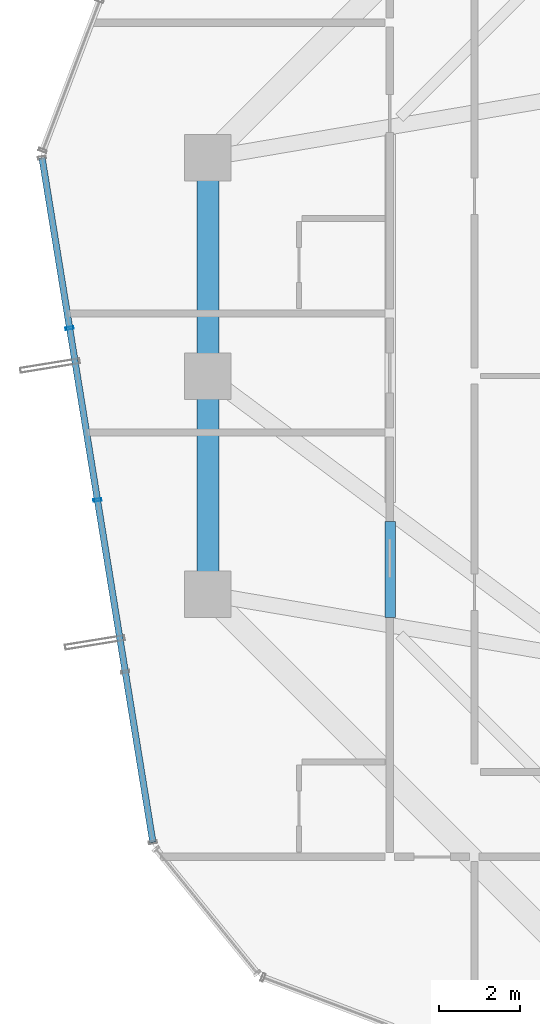
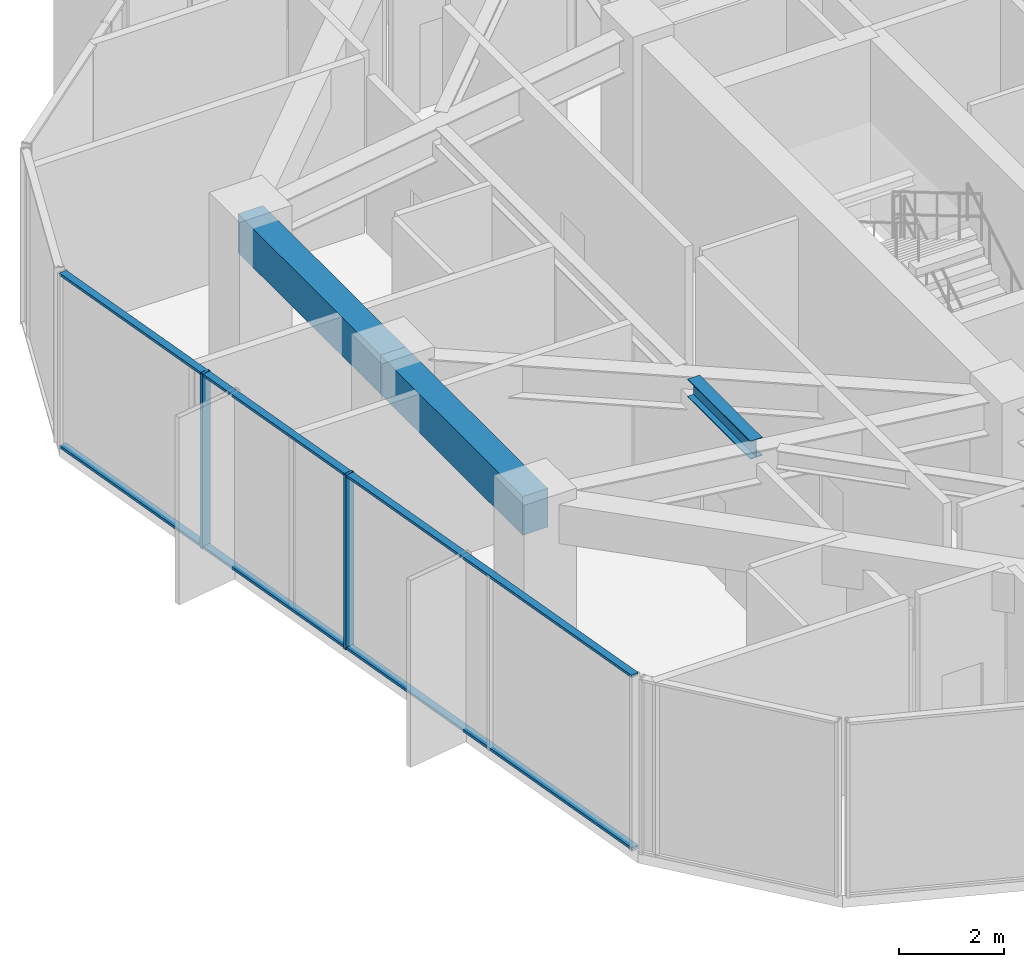
# One storey, part 8 of 26: 4 members, 3 beams, 1 element without a shape of its own.
"""IFC4 building model written with IfcOpenShell, lengths in metres."""

from ifc_helpers import new_model, si_unit, direction, frame, origin, origin_2d, place, context, subcontext, project, spatial, rectangle, hollow_rectangle, i_section, extrude, source, transform, mapped, material, layer, layer_set, material_profile, profile_set, type_object, element, aggregate, save


model = new_model("IFC4")

# Units and contexts
model_context = context("Model", 3, precision=1e-05, world=origin(), true_north=direction((0.0, 1.0)))
body_context = subcontext(model_context, "Body", "Model", "MODEL_VIEW")
ifc_project = project(units=[si_unit("LENGTHUNIT", "METRE"), si_unit("AREAUNIT", "SQUARE_METRE"), si_unit("VOLUMEUNIT", "CUBIC_METRE"), si_unit("PLANEANGLEUNIT", "RADIAN"), si_unit("MASSUNIT", "GRAM", prefix="KILO")], contexts=[model_context])

# Site, building, storey
site_placement = place(None, origin())
site = spatial("IfcSite", under=ifc_project, at=site_placement, CompositionType="ELEMENT")
building_placement = place(site_placement, origin())
building = spatial("IfcBuilding", under=site, at=building_placement, Name="Veraguas Prism Commons", CompositionType="ELEMENT")
storey_placement = place(building_placement, frame((0.0, 0.0, 158.75)))
storey = spatial("IfcBuildingStorey", under=building, at=storey_placement, Name="L45", CompositionType="ELEMENT", Elevation=158.75)

# Beams
ifc_material_1 = material(Name="Steel ASTM A992 Grade 50", Category="steel")
ifc_material_profile_1 = material_profile(ifc_material_1, i_section(OverallWidth=0.260986328125, OverallDepth=0.419921875, WebThickness=0.01171875, FlangeThickness=0.019287109375, at=origin_2d()), Name="W410X114")
ifc_profile_set_1 = profile_set([ifc_material_profile_1], Name="Steel ASTM A992 Grade 50")
beam_type_1 = type_object("IfcBeamType", Name="Lower Floor Joist W410x114", PredefinedType="JOIST", material=ifc_profile_set_1)
beam_placement = place(storey_placement, frame((12.31201171875, 20.404296875, 3.840087890625), z_axis=(0.0, -1.0, 0.0), x_axis=(1.0, 0.0, 0.0)))
element("IfcBeam", 1, at=beam_placement, inside=storey, type_object=beam_type_1, Name="Composite Floor Joist L45-JS08", PredefinedType="JOIST", context=body_context, shape_type="SweptSolid", body=[
    extrude(i_section(OverallWidth=0.260986328125, OverallDepth=0.419921875, WebThickness=0.01171875, FlangeThickness=0.019287109375, at=origin_2d()), origin(), (0.0, 0.0, 1.0), 2.380615234375),
])
ifc_material_2 = material(Name="Concrete C50/60", Category="concrete")
ifc_material_profile_2 = material_profile(ifc_material_2, rectangle(XDim=0.550048828125, YDim=0.89990234375, at=origin_2d()), Name="RC550X900")
ifc_profile_set_2 = profile_set([ifc_material_profile_2], Name="Concrete C50/60")
beam_type_2 = type_object("IfcBeamType", Name="Perimeter Spandrel Lower RC 550x900", PredefinedType="SPANDREL", material=ifc_profile_set_2)
for number, where, z_axis, x_axis, name in (
    (2, (7.800048828125, 29.39990234375, 3.60009765625), (0.0, -1.0, 0.0), (1.0, 0.0, 0.0), "Perimeter Spandrel Beam L45-SP07"),
    (3, (7.800048828125, 24.0, 3.60009765625), (0.0, -1.0, 0.0), (1.0, 0.0, 0.0), "Perimeter Spandrel Beam L45-SP08"),
):
    element("IfcBeam", number, at=place(storey_placement, frame(where, z_axis=z_axis, x_axis=x_axis)), inside=storey, type_object=beam_type_2, Name=name, PredefinedType="SPANDREL", context=body_context, shape_type="SweptSolid", body=[
        extrude(rectangle(XDim=0.550048828125, YDim=0.89990234375, at=origin_2d()), origin(), (0.0, 0.0, 1.0), 5.39990234375),
    ])

# Curtain wall, members
ifc_material_3 = material(Name="Anodised aluminium EN AW-6063 T6", Category="aluminium")
ifc_layer = layer(ifc_material_3, 0.199951171875, Name="Sky Lobby and Pool Acoustic Curtain Wall", Category="aluminium")
ifc_layer_set = layer_set([ifc_layer], Name="Anodised aluminium EN AW-6063 T6")
curtain_wall_type = type_object("IfcCurtainWallType", Name="Sky Lobby and Pool Acoustic Curtain Wall", PredefinedType="NOTDEFINED", material=ifc_layer_set)
curtain_wall_placement = place(storey_placement, origin())
curtain_wall = element("IfcCurtainWall", 4, at=curtain_wall_placement, inside=storey, type_object=curtain_wall_type, Name="Tower Facade Curtain Wall L45-F3", PredefinedType="NOTDEFINED")
ifc_material_profile_3 = material_profile(ifc_material_3, hollow_rectangle(XDim=0.06494140625, YDim=0.199951171875, WallThickness=0.00390625, at=origin_2d()), Name="AL65X200X4")
ifc_profile_set_3 = profile_set([ifc_material_profile_3], Name="Anodised aluminium EN AW-6063 T6")
member_type_1 = type_object("IfcMemberType", Name="Curtain Wall Mullion Heavy AL 65x200x4", PredefinedType="MULLION", material=ifc_profile_set_3)
shared_shape_1 = source(origin(), body_context, "Body", "SweptSolid", [
    extrude(hollow_rectangle(XDim=0.06494140625, YDim=0.199951171875, WallThickness=0.00390625, at=origin_2d()), origin(), (0.0, 0.0, 1.0), 4.050048828125),
])
member_1_placement = place(storey_placement, frame((4.37548828125, 25.186279296875, 0.0), z_axis=(0.0, 0.0, 1.0), x_axis=(0.159877741935, -0.987136823158, 0.0)))
member_1 = element("IfcMember", 5, at=member_1_placement, type_object=member_type_1, Name="CW-SKY Mullion 2", PredefinedType="MULLION", context=body_context, shape_type="MappedRepresentation", body=[
    mapped(shared_shape_1, transform((0.0, 0.0, 0.0), scale=1.0)),
])
member_2_placement = place(storey_placement, frame((5.064208984375, 20.93310546875, 0.0), z_axis=(0.0, 0.0, 1.0), x_axis=(0.159877741935, -0.987136823158, 0.0)))
member_2 = element("IfcMember", 6, at=member_2_placement, type_object=member_type_1, Name="CW-SKY Mullion 3", PredefinedType="MULLION", context=body_context, shape_type="MappedRepresentation", body=[
    mapped(shared_shape_1, transform((0.0, 0.0, 0.0), scale=1.0)),
])
ifc_material_profile_4 = material_profile(ifc_material_3, hollow_rectangle(XDim=0.06005859375, YDim=0.159912109375, WallThickness=0.0029296875, at=origin_2d()), Name="AL60X160X3")
ifc_profile_set_4 = profile_set([ifc_material_profile_4], Name="Anodised aluminium EN AW-6063 T6")
member_type_2 = type_object("IfcMemberType", Name="Curtain Wall Transom Heavy AL 60x160x3", PredefinedType="USERDEFINED", material=ifc_profile_set_4)
shared_shape_2 = source(origin(), body_context, "Body", "SweptSolid", [
    extrude(hollow_rectangle(XDim=0.06005859375, YDim=0.159912109375, WallThickness=0.0029296875, at=origin_2d()), origin(), (0.0, 0.0, 1.0), 17.169677734375),
])
member_3_placement = place(storey_placement, frame((3.69189453125, 29.407470703125, 0.030029296875), z_axis=(0.159868571925, -0.987138308299, 0.0), x_axis=(0.0, 0.0, 1.0)))
member_3 = element("IfcMember", 7, at=member_3_placement, type_object=member_type_2, Name="CW-SKY Transom 1", ObjectType="TRANSOM", PredefinedType="USERDEFINED", context=body_context, shape_type="MappedRepresentation", body=[
    mapped(shared_shape_2, transform((0.0, 0.0, 0.0), scale=1.0)),
])
member_4_placement = place(storey_placement, frame((3.69189453125, 29.407470703125, 4.02001953125), z_axis=(0.159868571925, -0.987138308299, 0.0), x_axis=(0.0, 0.0, 1.0)))
member_4 = element("IfcMember", 8, at=member_4_placement, type_object=member_type_2, Name="CW-SKY Transom 2", ObjectType="TRANSOM", PredefinedType="USERDEFINED", context=body_context, shape_type="MappedRepresentation", body=[
    mapped(shared_shape_2, transform((0.0, 0.0, 0.0), scale=1.0)),
])
aggregate(curtain_wall, [member_1, member_2, member_3, member_4])

save(model, "model.ifc")
